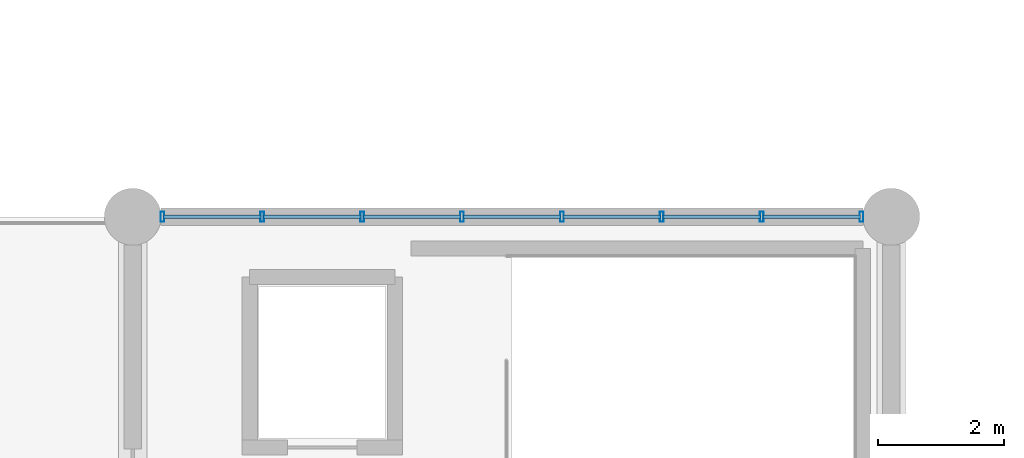
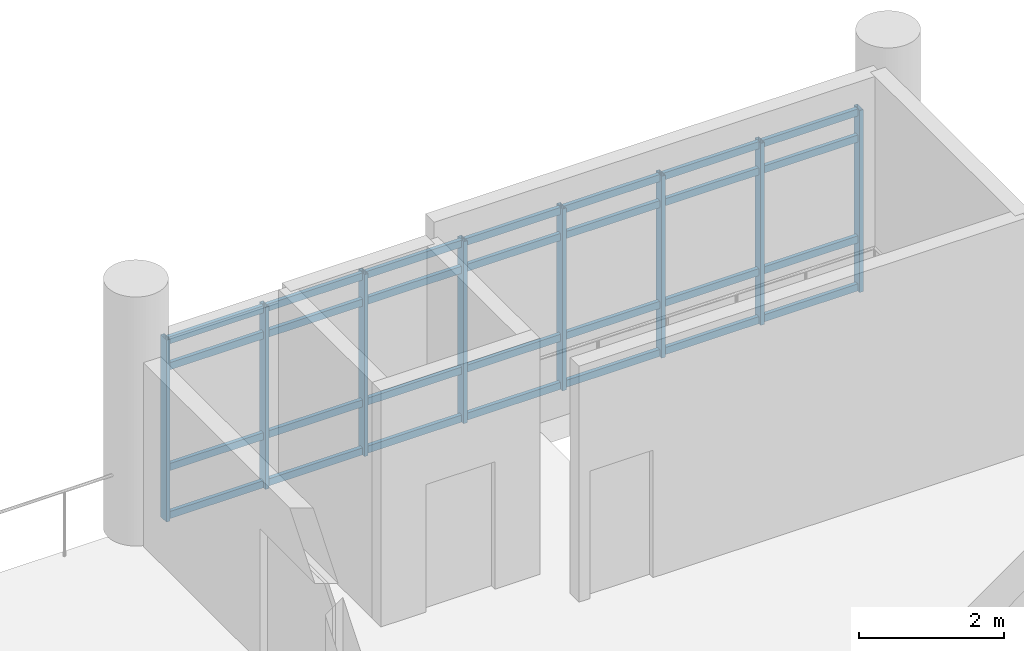
# One storey, part 18 of 111: 36 members, 1 element without a shape of its own.
"""IFC4 building model written with IfcOpenShell, lengths in metres."""

import ifcopenshell
import ifcopenshell.guid

model = None  # the IFC model being written
_history = None  # IfcOwnerHistory: only IFC2X3 demands one
_inside = {}  # id of a spatial element -> (the spatial element, [elements in it])
_under = {}  # id of a project, library or spatial element -> (it, [spatial elements below it])
_declared = {}  # id of a project -> (the project, [libraries it declares])
_typed = {}  # id of a type object -> (the type object, [elements of that type])
_made_of = {}  # id of a material, layer set ... -> (it, [elements and type objects made of it])


def new_model(schema):
    """Start an empty IFC model of exactly this schema.

    Asked for "IFC4X3", IfcOpenShell would pick the latest addendum, in which some entities
    have other attributes; the version numbers below select the first issue.
    IFC2X3 requires an IfcOwnerHistory on every rooted entity: one is made here for all.
    """
    global model, _history
    if schema == "IFC4X3":
        model = ifcopenshell.file(schema_version=(4, 3, 0, 0))
    else:
        model = ifcopenshell.file(schema=schema)
    _inside.clear()
    _under.clear()
    _declared.clear()
    _typed.clear()
    _made_of.clear()
    _history = None
    if model.schema == "IFC2X3":
        org = make("IfcOrganization", Name="unknown")
        user = make(
            "IfcPersonAndOrganization",
            ThePerson=make("IfcPerson", FamilyName="unknown"),
            TheOrganization=org,
        )
        app = make(
            "IfcApplication",
            ApplicationDeveloper=org,
            Version="unknown",
            ApplicationFullName="unknown",
            ApplicationIdentifier="unknown",
        )
        _history = make(
            "IfcOwnerHistory",
            OwningUser=user,
            OwningApplication=app,
            ChangeAction="ADDED",
            CreationDate=0,
        )
    return model


def make(cls, **values):
    """One entity of the class cls with the attributes given. An attribute that is None is left unset."""
    return model.create_entity(
        cls, **{name: value for name, value in values.items() if value is not None}
    )


def rooted(cls, **values):
    """An entity with a GlobalId (a new one), such as an element, a storey or a relation."""
    return make(cls, GlobalId=ifcopenshell.guid.new(), OwnerHistory=_history, **values)


def si_unit(unit_type, name, prefix=None):
    """IfcSIUnit, for example si_unit("LENGTHUNIT", "METRE", prefix="MILLI")."""
    return make("IfcSIUnit", UnitType=unit_type, Prefix=prefix, Name=name)


def assignment(units):
    """IfcUnitAssignment: the units of a project."""
    return None if units is None else make("IfcUnitAssignment", Units=units)


def point(xyz):
    """IfcCartesianPoint."""
    return None if xyz is None else make("IfcCartesianPoint", Coordinates=xyz)


def direction(xyz):
    """IfcDirection."""
    return None if xyz is None else make("IfcDirection", DirectionRatios=xyz)


def frame(location, z_axis=None, x_axis=None):
    """IfcAxis2Placement3D, a coordinate frame: its origin and axes. An axis left out is left unset."""
    return make(
        "IfcAxis2Placement3D",
        Location=point(location),
        Axis=direction(z_axis),
        RefDirection=direction(x_axis),
    )


def frame_2d(location, x_axis=None):
    """IfcAxis2Placement2D, a coordinate frame in the plane: its origin and x axis."""
    return make(
        "IfcAxis2Placement2D", Location=point(location), RefDirection=direction(x_axis)
    )


def origin():
    """The frame at (0, 0, 0) with its axes left unset."""
    return frame((0.0, 0.0, 0.0))


def origin_2d():
    """The frame at (0, 0) in the plane with its x axis left unset."""
    return frame_2d((0.0, 0.0))


def place(relative_to, where):
    """IfcLocalPlacement: puts the frame where relative to a parent placement (None: the world)."""
    return make(
        "IfcLocalPlacement", PlacementRelTo=relative_to, RelativePlacement=where
    )


def context(
    kind, dimensions, precision=None, world=None, true_north=None, identifier=None
):
    """IfcGeometricRepresentationContext, for example the 3D "Model" context."""
    return make(
        "IfcGeometricRepresentationContext",
        ContextIdentifier=identifier,
        ContextType=kind,
        CoordinateSpaceDimension=dimensions,
        Precision=precision,
        WorldCoordinateSystem=world,
        TrueNorth=true_north,
    )


def subcontext(parent, identifier, kind, view, scale=None):
    """IfcGeometricRepresentationSubContext, for example "Body" below "Model"."""
    return make(
        "IfcGeometricRepresentationSubContext",
        ContextIdentifier=identifier,
        ContextType=kind,
        ParentContext=parent,
        TargetScale=scale,
        TargetView=view,
    )


def project(units=None, contexts=None):
    """IfcProject with its units and contexts."""
    return rooted(
        "IfcProject",
        Name="project",
        RepresentationContexts=contexts,
        UnitsInContext=assignment(units),
    )


def spatial(cls, under=None, at=None, **own):
    """A site, building, storey or space (cls), placed at a placement, below another one or the project."""
    s = rooted(cls, ObjectPlacement=at, **own)
    if under is not None:
        _under.setdefault(under.id(), (under, []))[1].append(s)
    return s


def profile(cls, at=None, kind="AREA", **sizes):
    """A parametric profile (cls). Its sizes go by their IFC names, for example OverallWidth=200.0."""
    return make(cls, ProfileType=kind, Position=at, **sizes)


def hollow_rectangle(**sizes):
    """IfcRectangleHollowProfileDef."""
    return profile("IfcRectangleHollowProfileDef", **sizes)


def extrude(swept, where, along, depth):
    """IfcExtrudedAreaSolid: the profile swept, set in the frame where, extruded along a direction by depth."""
    return make(
        "IfcExtrudedAreaSolid",
        SweptArea=swept,
        Position=where,
        ExtrudedDirection=direction(along),
        Depth=depth,
    )


def shape(context_of_items, identifier, shape_type, items):
    """IfcShapeRepresentation: the items that make up one representation, for example the "Body"."""
    return make(
        "IfcShapeRepresentation",
        ContextOfItems=context_of_items,
        RepresentationIdentifier=identifier,
        RepresentationType=shape_type,
        Items=items,
    )


def material(Name=None, Category=None):
    """IfcMaterial."""
    return make("IfcMaterial", Name=Name, Category=Category)


def layer(
    of_material, thickness, ventilated=None, Name=None, Category=None, Priority=None
):
    """IfcMaterialLayer: one layer of a wall or slab, of a material (None: an air gap)."""
    return make(
        "IfcMaterialLayer",
        Material=of_material,
        LayerThickness=thickness,
        IsVentilated=ventilated,
        Name=Name,
        Category=Category,
        Priority=Priority,
    )


def layer_set(layers, Name=None):
    """IfcMaterialLayerSet."""
    return make("IfcMaterialLayerSet", MaterialLayers=layers, LayerSetName=Name)


def material_profile(
    of_material, cross_section, Name=None, Category=None, Priority=None
):
    """IfcMaterialProfile: a cross section and its material."""
    return make(
        "IfcMaterialProfile",
        Name=Name,
        Material=of_material,
        Profile=cross_section,
        Priority=Priority,
        Category=Category,
    )


def profile_set(profiles, Name=None, composite=None):
    """IfcMaterialProfileSet."""
    return make(
        "IfcMaterialProfileSet",
        Name=Name,
        MaterialProfiles=profiles,
        CompositeProfile=composite,
    )


def made_of(thing, what):
    """Note that an element or type object is made of a material, layer set ...; save() writes the relation."""
    if what is not None:
        _made_of.setdefault(what.id(), (what, []))[1].append(thing)
    return thing


def type_object(cls, material=None, **own):
    """A type object (cls), such as IfcWallType, which elements share."""
    return made_of(rooted(cls, **own), material)


def element(
    cls,
    number,
    at=None,
    inside=None,
    cuts=None,
    type_object=None,
    material=None,
    context=None,
    identifier="Body",
    shape_type=None,
    held_by="IfcProductDefinitionShape",
    body=None,
    shapes=None,
    **own,
):
    """One element of the class cls, such as IfcWall. Its Tag is "e" and its number.

    at: its placement. inside: the storey or other place that contains it. cuts: it is an
    opening in that element (IfcRelVoidsElement). A single representation is given by context,
    identifier, shape_type and body (its items); several are given by shapes. held_by: the class
    of the entity that holds the representations. save() writes the other relations.
    """
    e = rooted(cls, Tag="e%d" % number, ObjectPlacement=at, **own)
    if body is not None:
        shapes = [shape(context, identifier, shape_type, body)]
    if shapes is not None:
        e.Representation = make(held_by, Representations=shapes)
    if inside is not None:
        _inside.setdefault(inside.id(), (inside, []))[1].append(e)
    if cuts is not None:
        rooted(
            "IfcRelVoidsElement", RelatingBuildingElement=cuts, RelatedOpeningElement=e
        )
    if type_object is not None:
        _typed.setdefault(type_object.id(), (type_object, []))[1].append(e)
    return made_of(e, material)


def aggregate(whole, parts):
    """IfcRelAggregates: a whole, such as a stair, and the parts it consists of."""
    return rooted("IfcRelAggregates", RelatingObject=whole, RelatedObjects=parts)


def save(model, path):
    """Write the relations noted so far, then the file.

    IfcRelAggregates (storeys below a building ...), IfcRelContainedInSpatialStructure (elements
    in a storey), IfcRelDefinesByType, IfcRelAssociatesMaterial and IfcRelDeclares: one each for
    every whole, place, type object, material and project.
    """
    for whole, parts in _under.values():
        aggregate(whole, parts)
    for where, things in _inside.values():
        rooted(
            "IfcRelContainedInSpatialStructure",
            RelatedElements=things,
            RelatingStructure=where,
        )
    for kind, things in _typed.values():
        rooted("IfcRelDefinesByType", RelatedObjects=things, RelatingType=kind)
    for what, things in _made_of.values():
        rooted("IfcRelAssociatesMaterial", RelatedObjects=things, RelatingMaterial=what)
    for by, libraries in _declared.values():
        rooted("IfcRelDeclares", RelatingContext=by, RelatedDefinitions=libraries)
    model.write(path)


model = new_model("IFC4")

# Units and contexts
model_context = context("Model", 3, precision=1e-05, world=origin(), true_north=direction((0.0, 1.0)))
body_context = subcontext(model_context, "Body", "Model", "MODEL_VIEW")
ifc_project = project(units=[si_unit("LENGTHUNIT", "METRE"), si_unit("AREAUNIT", "SQUARE_METRE"), si_unit("VOLUMEUNIT", "CUBIC_METRE"), si_unit("PLANEANGLEUNIT", "RADIAN"), si_unit("MASSUNIT", "GRAM", prefix="KILO")], contexts=[model_context])

# Site, building, storey
site_placement = place(None, origin())
site = spatial("IfcSite", under=ifc_project, at=site_placement, CompositionType="ELEMENT")
building_placement = place(site_placement, origin())
building = spatial("IfcBuilding", under=site, at=building_placement, Name="Mersad Railyard Sports Hall", CompositionType="ELEMENT")
storey_placement = place(building_placement, frame((0.0, 0.0, 9.0)))
storey = spatial("IfcBuildingStorey", under=building, at=storey_placement, Name="L02", CompositionType="ELEMENT", Elevation=9.0)

# Curtain wall, members
ifc_material = material(Name="Aluminium 6063-T6", Category="aluminium")
ifc_layer = layer(ifc_material, 0.159912109375)
ifc_layer_set = layer_set([ifc_layer], Name="Aluminium 6063-T6")
curtain_wall_type = type_object("IfcCurtainWallType", Name="ARC-CW-CW06", PredefinedType="USERDEFINED", material=ifc_layer_set)
curtain_wall_placement = place(storey_placement, origin())
curtain_wall = element("IfcCurtainWall", 1, at=curtain_wall_placement, inside=storey, type_object=curtain_wall_type, Name="Curtain wall CW06-0032", ObjectType="CURTAIN WALL", PredefinedType="USERDEFINED")
ifc_material_profile_1 = material_profile(ifc_material, hollow_rectangle(XDim=0.06005859375, YDim=0.159912109375, WallThickness=0.00390625, at=origin_2d()), Name="AL MULLION 60x160x4")
ifc_profile_set_1 = profile_set([ifc_material_profile_1], Name="Aluminium 6063-T6")
member_type_1 = type_object("IfcMemberType", Name="ARC-CW-MUL01", PredefinedType="MULLION", material=ifc_profile_set_1)
member_1_placement = place(storey_placement, frame((79.469970703125, 53.5, -0.02001953125), z_axis=(0.0, 0.0, 1.0), x_axis=(1.0, 0.0, 0.0)))
member_1 = element("IfcMember", 2, at=member_1_placement, type_object=member_type_1, Name="CW06 Mullion 1", PredefinedType="MULLION", context=body_context, shape_type="SweptSolid", body=[
    extrude(hollow_rectangle(XDim=0.06005859375, YDim=0.159912109375, WallThickness=0.00390625, at=origin_2d()), origin(), (0.0, 0.0, 1.0), 3.070068359375),
])
member_2_placement = place(storey_placement, frame((81.050048828125, 53.5, -0.02001953125), z_axis=(0.0, 0.0, 1.0), x_axis=(1.0, 0.0, 0.0)))
member_2 = element("IfcMember", 3, at=member_2_placement, type_object=member_type_1, Name="CW06 Mullion 2", PredefinedType="MULLION", context=body_context, shape_type="SweptSolid", body=[
    extrude(hollow_rectangle(XDim=0.06005859375, YDim=0.159912109375, WallThickness=0.00390625, at=origin_2d()), origin(), (0.0, 0.0, 1.0), 3.070068359375),
])
member_3_placement = place(storey_placement, frame((82.6298828125, 53.5, -0.02001953125), z_axis=(0.0, 0.0, 1.0), x_axis=(1.0, 0.0, 0.0)))
member_3 = element("IfcMember", 4, at=member_3_placement, type_object=member_type_1, Name="CW06 Mullion 3", PredefinedType="MULLION", context=body_context, shape_type="SweptSolid", body=[
    extrude(hollow_rectangle(XDim=0.06005859375, YDim=0.159912109375, WallThickness=0.00390625, at=origin_2d()), origin(), (0.0, 0.0, 1.0), 3.070068359375),
])
member_4_placement = place(storey_placement, frame((84.2099609375, 53.5, -0.02001953125), z_axis=(0.0, 0.0, 1.0), x_axis=(1.0, 0.0, 0.0)))
member_4 = element("IfcMember", 5, at=member_4_placement, type_object=member_type_1, Name="CW06 Mullion 4", PredefinedType="MULLION", context=body_context, shape_type="SweptSolid", body=[
    extrude(hollow_rectangle(XDim=0.06005859375, YDim=0.159912109375, WallThickness=0.00390625, at=origin_2d()), origin(), (0.0, 0.0, 1.0), 3.070068359375),
])
member_5_placement = place(storey_placement, frame((85.7900390625, 53.5, -0.02001953125), z_axis=(0.0, 0.0, 1.0), x_axis=(1.0, 0.0, 0.0)))
member_5 = element("IfcMember", 6, at=member_5_placement, type_object=member_type_1, Name="CW06 Mullion 5", PredefinedType="MULLION", context=body_context, shape_type="SweptSolid", body=[
    extrude(hollow_rectangle(XDim=0.06005859375, YDim=0.159912109375, WallThickness=0.00390625, at=origin_2d()), origin(), (0.0, 0.0, 1.0), 3.070068359375),
])
member_6_placement = place(storey_placement, frame((87.3701171875, 53.5, -0.02001953125), z_axis=(0.0, 0.0, 1.0), x_axis=(1.0, 0.0, 0.0)))
member_6 = element("IfcMember", 7, at=member_6_placement, type_object=member_type_1, Name="CW06 Mullion 6", PredefinedType="MULLION", context=body_context, shape_type="SweptSolid", body=[
    extrude(hollow_rectangle(XDim=0.06005859375, YDim=0.159912109375, WallThickness=0.00390625, at=origin_2d()), origin(), (0.0, 0.0, 1.0), 3.070068359375),
])
member_7_placement = place(storey_placement, frame((88.949951171875, 53.5, -0.02001953125), z_axis=(0.0, 0.0, 1.0), x_axis=(1.0, 0.0, 0.0)))
member_7 = element("IfcMember", 8, at=member_7_placement, type_object=member_type_1, Name="CW06 Mullion 7", PredefinedType="MULLION", context=body_context, shape_type="SweptSolid", body=[
    extrude(hollow_rectangle(XDim=0.06005859375, YDim=0.159912109375, WallThickness=0.00390625, at=origin_2d()), origin(), (0.0, 0.0, 1.0), 3.070068359375),
])
member_8_placement = place(storey_placement, frame((90.530029296875, 53.5, -0.02001953125), z_axis=(0.0, 0.0, 1.0), x_axis=(1.0, 0.0, 0.0)))
member_8 = element("IfcMember", 9, at=member_8_placement, type_object=member_type_1, Name="CW06 Mullion 8", PredefinedType="MULLION", context=body_context, shape_type="SweptSolid", body=[
    extrude(hollow_rectangle(XDim=0.06005859375, YDim=0.159912109375, WallThickness=0.00390625, at=origin_2d()), origin(), (0.0, 0.0, 1.0), 3.070068359375),
])
ifc_material_profile_2 = material_profile(ifc_material, hollow_rectangle(XDim=0.06005859375, YDim=0.1201171875, WallThickness=0.00390625, at=origin_2d()), Name="AL TRANSOM 60x120x4")
ifc_profile_set_2 = profile_set([ifc_material_profile_2], Name="Aluminium 6063-T6")
member_type_2 = type_object("IfcMemberType", Name="ARC-CW-TRN01", PredefinedType="USERDEFINED", material=ifc_profile_set_2)
member_9_placement = place(storey_placement, frame((79.489990234375, 53.5, 0.0400390625), z_axis=(1.0, 0.0, 0.0), x_axis=(0.0, 1.0, 0.0)))
member_9 = element("IfcMember", 10, at=member_9_placement, type_object=member_type_2, Name="CW06 Transom 1-1", ObjectType="TRANSOM", PredefinedType="USERDEFINED", context=body_context, shape_type="SweptSolid", body=[
    extrude(hollow_rectangle(XDim=0.06005859375, YDim=0.1201171875, WallThickness=0.00390625, at=origin_2d()), origin(), (0.0, 0.0, 1.0), 1.5400390625),
])
member_10_placement = place(storey_placement, frame((81.070068359375, 53.5, 0.0400390625), z_axis=(1.0, 0.0, 0.0), x_axis=(0.0, 1.0, 0.0)))
member_10 = element("IfcMember", 11, at=member_10_placement, type_object=member_type_2, Name="CW06 Transom 1-2", ObjectType="TRANSOM", PredefinedType="USERDEFINED", context=body_context, shape_type="SweptSolid", body=[
    extrude(hollow_rectangle(XDim=0.06005859375, YDim=0.1201171875, WallThickness=0.00390625, at=origin_2d()), origin(), (0.0, 0.0, 1.0), 1.5400390625),
])
member_11_placement = place(storey_placement, frame((82.64990234375, 53.5, 0.0400390625), z_axis=(1.0, 0.0, 0.0), x_axis=(0.0, 1.0, 0.0)))
member_11 = element("IfcMember", 12, at=member_11_placement, type_object=member_type_2, Name="CW06 Transom 1-3", ObjectType="TRANSOM", PredefinedType="USERDEFINED", context=body_context, shape_type="SweptSolid", body=[
    extrude(hollow_rectangle(XDim=0.06005859375, YDim=0.1201171875, WallThickness=0.00390625, at=origin_2d()), origin(), (0.0, 0.0, 1.0), 1.5400390625),
])
member_12_placement = place(storey_placement, frame((84.22998046875, 53.5, 0.0400390625), z_axis=(1.0, 0.0, 0.0), x_axis=(0.0, 1.0, 0.0)))
member_12 = element("IfcMember", 13, at=member_12_placement, type_object=member_type_2, Name="CW06 Transom 1-4", ObjectType="TRANSOM", PredefinedType="USERDEFINED", context=body_context, shape_type="SweptSolid", body=[
    extrude(hollow_rectangle(XDim=0.06005859375, YDim=0.1201171875, WallThickness=0.00390625, at=origin_2d()), origin(), (0.0, 0.0, 1.0), 1.5400390625),
])
member_13_placement = place(storey_placement, frame((85.81005859375, 53.5, 0.0400390625), z_axis=(1.0, 0.0, 0.0), x_axis=(0.0, 1.0, 0.0)))
member_13 = element("IfcMember", 14, at=member_13_placement, type_object=member_type_2, Name="CW06 Transom 1-5", ObjectType="TRANSOM", PredefinedType="USERDEFINED", context=body_context, shape_type="SweptSolid", body=[
    extrude(hollow_rectangle(XDim=0.06005859375, YDim=0.1201171875, WallThickness=0.00390625, at=origin_2d()), origin(), (0.0, 0.0, 1.0), 1.5400390625),
])
member_14_placement = place(storey_placement, frame((87.389892578125, 53.5, 0.0400390625), z_axis=(1.0, 0.0, 0.0), x_axis=(0.0, 1.0, 0.0)))
member_14 = element("IfcMember", 15, at=member_14_placement, type_object=member_type_2, Name="CW06 Transom 1-6", ObjectType="TRANSOM", PredefinedType="USERDEFINED", context=body_context, shape_type="SweptSolid", body=[
    extrude(hollow_rectangle(XDim=0.06005859375, YDim=0.1201171875, WallThickness=0.00390625, at=origin_2d()), origin(), (0.0, 0.0, 1.0), 1.5400390625),
])
member_15_placement = place(storey_placement, frame((88.969970703125, 53.5, 0.0400390625), z_axis=(1.0, 0.0, 0.0), x_axis=(0.0, 1.0, 0.0)))
member_15 = element("IfcMember", 16, at=member_15_placement, type_object=member_type_2, Name="CW06 Transom 1-7", ObjectType="TRANSOM", PredefinedType="USERDEFINED", context=body_context, shape_type="SweptSolid", body=[
    extrude(hollow_rectangle(XDim=0.06005859375, YDim=0.1201171875, WallThickness=0.00390625, at=origin_2d()), origin(), (0.0, 0.0, 1.0), 1.5400390625),
])
member_16_placement = place(storey_placement, frame((79.489990234375, 53.5, 0.85009765625), z_axis=(1.0, 0.0, 0.0), x_axis=(0.0, 1.0, 0.0)))
member_16 = element("IfcMember", 17, at=member_16_placement, type_object=member_type_2, Name="CW06 Transom 2-1", ObjectType="TRANSOM", PredefinedType="USERDEFINED", context=body_context, shape_type="SweptSolid", body=[
    extrude(hollow_rectangle(XDim=0.06005859375, YDim=0.1201171875, WallThickness=0.00390625, at=origin_2d()), origin(), (0.0, 0.0, 1.0), 1.5400390625),
])
member_17_placement = place(storey_placement, frame((81.070068359375, 53.5, 0.85009765625), z_axis=(1.0, 0.0, 0.0), x_axis=(0.0, 1.0, 0.0)))
member_17 = element("IfcMember", 18, at=member_17_placement, type_object=member_type_2, Name="CW06 Transom 2-2", ObjectType="TRANSOM", PredefinedType="USERDEFINED", context=body_context, shape_type="SweptSolid", body=[
    extrude(hollow_rectangle(XDim=0.06005859375, YDim=0.1201171875, WallThickness=0.00390625, at=origin_2d()), origin(), (0.0, 0.0, 1.0), 1.5400390625),
])
member_18_placement = place(storey_placement, frame((82.64990234375, 53.5, 0.85009765625), z_axis=(1.0, 0.0, 0.0), x_axis=(0.0, 1.0, 0.0)))
member_18 = element("IfcMember", 19, at=member_18_placement, type_object=member_type_2, Name="CW06 Transom 2-3", ObjectType="TRANSOM", PredefinedType="USERDEFINED", context=body_context, shape_type="SweptSolid", body=[
    extrude(hollow_rectangle(XDim=0.06005859375, YDim=0.1201171875, WallThickness=0.00390625, at=origin_2d()), origin(), (0.0, 0.0, 1.0), 1.5400390625),
])
member_19_placement = place(storey_placement, frame((84.22998046875, 53.5, 0.85009765625), z_axis=(1.0, 0.0, 0.0), x_axis=(0.0, 1.0, 0.0)))
member_19 = element("IfcMember", 20, at=member_19_placement, type_object=member_type_2, Name="CW06 Transom 2-4", ObjectType="TRANSOM", PredefinedType="USERDEFINED", context=body_context, shape_type="SweptSolid", body=[
    extrude(hollow_rectangle(XDim=0.06005859375, YDim=0.1201171875, WallThickness=0.00390625, at=origin_2d()), origin(), (0.0, 0.0, 1.0), 1.5400390625),
])
member_20_placement = place(storey_placement, frame((85.81005859375, 53.5, 0.85009765625), z_axis=(1.0, 0.0, 0.0), x_axis=(0.0, 1.0, 0.0)))
member_20 = element("IfcMember", 21, at=member_20_placement, type_object=member_type_2, Name="CW06 Transom 2-5", ObjectType="TRANSOM", PredefinedType="USERDEFINED", context=body_context, shape_type="SweptSolid", body=[
    extrude(hollow_rectangle(XDim=0.06005859375, YDim=0.1201171875, WallThickness=0.00390625, at=origin_2d()), origin(), (0.0, 0.0, 1.0), 1.5400390625),
])
member_21_placement = place(storey_placement, frame((87.389892578125, 53.5, 0.85009765625), z_axis=(1.0, 0.0, 0.0), x_axis=(0.0, 1.0, 0.0)))
member_21 = element("IfcMember", 22, at=member_21_placement, type_object=member_type_2, Name="CW06 Transom 2-6", ObjectType="TRANSOM", PredefinedType="USERDEFINED", context=body_context, shape_type="SweptSolid", body=[
    extrude(hollow_rectangle(XDim=0.06005859375, YDim=0.1201171875, WallThickness=0.00390625, at=origin_2d()), origin(), (0.0, 0.0, 1.0), 1.5400390625),
])
member_22_placement = place(storey_placement, frame((88.969970703125, 53.5, 0.85009765625), z_axis=(1.0, 0.0, 0.0), x_axis=(0.0, 1.0, 0.0)))
member_22 = element("IfcMember", 23, at=member_22_placement, type_object=member_type_2, Name="CW06 Transom 2-7", ObjectType="TRANSOM", PredefinedType="USERDEFINED", context=body_context, shape_type="SweptSolid", body=[
    extrude(hollow_rectangle(XDim=0.06005859375, YDim=0.1201171875, WallThickness=0.00390625, at=origin_2d()), origin(), (0.0, 0.0, 1.0), 1.5400390625),
])
member_23_placement = place(storey_placement, frame((79.489990234375, 53.5, 2.550048828125), z_axis=(1.0, 0.0, 0.0), x_axis=(0.0, 1.0, 0.0)))
member_23 = element("IfcMember", 24, at=member_23_placement, type_object=member_type_2, Name="CW06 Transom 3-1", ObjectType="TRANSOM", PredefinedType="USERDEFINED", context=body_context, shape_type="SweptSolid", body=[
    extrude(hollow_rectangle(XDim=0.06005859375, YDim=0.1201171875, WallThickness=0.00390625, at=origin_2d()), origin(), (0.0, 0.0, 1.0), 1.5400390625),
])
member_24_placement = place(storey_placement, frame((81.070068359375, 53.5, 2.550048828125), z_axis=(1.0, 0.0, 0.0), x_axis=(0.0, 1.0, 0.0)))
member_24 = element("IfcMember", 25, at=member_24_placement, type_object=member_type_2, Name="CW06 Transom 3-2", ObjectType="TRANSOM", PredefinedType="USERDEFINED", context=body_context, shape_type="SweptSolid", body=[
    extrude(hollow_rectangle(XDim=0.06005859375, YDim=0.1201171875, WallThickness=0.00390625, at=origin_2d()), origin(), (0.0, 0.0, 1.0), 1.5400390625),
])
member_25_placement = place(storey_placement, frame((82.64990234375, 53.5, 2.550048828125), z_axis=(1.0, 0.0, 0.0), x_axis=(0.0, 1.0, 0.0)))
member_25 = element("IfcMember", 26, at=member_25_placement, type_object=member_type_2, Name="CW06 Transom 3-3", ObjectType="TRANSOM", PredefinedType="USERDEFINED", context=body_context, shape_type="SweptSolid", body=[
    extrude(hollow_rectangle(XDim=0.06005859375, YDim=0.1201171875, WallThickness=0.00390625, at=origin_2d()), origin(), (0.0, 0.0, 1.0), 1.5400390625),
])
member_26_placement = place(storey_placement, frame((84.22998046875, 53.5, 2.550048828125), z_axis=(1.0, 0.0, 0.0), x_axis=(0.0, 1.0, 0.0)))
member_26 = element("IfcMember", 27, at=member_26_placement, type_object=member_type_2, Name="CW06 Transom 3-4", ObjectType="TRANSOM", PredefinedType="USERDEFINED", context=body_context, shape_type="SweptSolid", body=[
    extrude(hollow_rectangle(XDim=0.06005859375, YDim=0.1201171875, WallThickness=0.00390625, at=origin_2d()), origin(), (0.0, 0.0, 1.0), 1.5400390625),
])
member_27_placement = place(storey_placement, frame((85.81005859375, 53.5, 2.550048828125), z_axis=(1.0, 0.0, 0.0), x_axis=(0.0, 1.0, 0.0)))
member_27 = element("IfcMember", 28, at=member_27_placement, type_object=member_type_2, Name="CW06 Transom 3-5", ObjectType="TRANSOM", PredefinedType="USERDEFINED", context=body_context, shape_type="SweptSolid", body=[
    extrude(hollow_rectangle(XDim=0.06005859375, YDim=0.1201171875, WallThickness=0.00390625, at=origin_2d()), origin(), (0.0, 0.0, 1.0), 1.5400390625),
])
member_28_placement = place(storey_placement, frame((87.389892578125, 53.5, 2.550048828125), z_axis=(1.0, 0.0, 0.0), x_axis=(0.0, 1.0, 0.0)))
member_28 = element("IfcMember", 29, at=member_28_placement, type_object=member_type_2, Name="CW06 Transom 3-6", ObjectType="TRANSOM", PredefinedType="USERDEFINED", context=body_context, shape_type="SweptSolid", body=[
    extrude(hollow_rectangle(XDim=0.06005859375, YDim=0.1201171875, WallThickness=0.00390625, at=origin_2d()), origin(), (0.0, 0.0, 1.0), 1.5400390625),
])
member_29_placement = place(storey_placement, frame((88.969970703125, 53.5, 2.550048828125), z_axis=(1.0, 0.0, 0.0), x_axis=(0.0, 1.0, 0.0)))
member_29 = element("IfcMember", 30, at=member_29_placement, type_object=member_type_2, Name="CW06 Transom 3-7", ObjectType="TRANSOM", PredefinedType="USERDEFINED", context=body_context, shape_type="SweptSolid", body=[
    extrude(hollow_rectangle(XDim=0.06005859375, YDim=0.1201171875, WallThickness=0.00390625, at=origin_2d()), origin(), (0.0, 0.0, 1.0), 1.5400390625),
])
member_30_placement = place(storey_placement, frame((79.489990234375, 53.5, 2.989990234375), z_axis=(1.0, 0.0, 0.0), x_axis=(0.0, 1.0, 0.0)))
member_30 = element("IfcMember", 31, at=member_30_placement, type_object=member_type_2, Name="CW06 Transom 4-1", ObjectType="TRANSOM", PredefinedType="USERDEFINED", context=body_context, shape_type="SweptSolid", body=[
    extrude(hollow_rectangle(XDim=0.06005859375, YDim=0.1201171875, WallThickness=0.00390625, at=origin_2d()), origin(), (0.0, 0.0, 1.0), 1.5400390625),
])
member_31_placement = place(storey_placement, frame((81.070068359375, 53.5, 2.989990234375), z_axis=(1.0, 0.0, 0.0), x_axis=(0.0, 1.0, 0.0)))
member_31 = element("IfcMember", 32, at=member_31_placement, type_object=member_type_2, Name="CW06 Transom 4-2", ObjectType="TRANSOM", PredefinedType="USERDEFINED", context=body_context, shape_type="SweptSolid", body=[
    extrude(hollow_rectangle(XDim=0.06005859375, YDim=0.1201171875, WallThickness=0.00390625, at=origin_2d()), origin(), (0.0, 0.0, 1.0), 1.5400390625),
])
member_32_placement = place(storey_placement, frame((82.64990234375, 53.5, 2.989990234375), z_axis=(1.0, 0.0, 0.0), x_axis=(0.0, 1.0, 0.0)))
member_32 = element("IfcMember", 33, at=member_32_placement, type_object=member_type_2, Name="CW06 Transom 4-3", ObjectType="TRANSOM", PredefinedType="USERDEFINED", context=body_context, shape_type="SweptSolid", body=[
    extrude(hollow_rectangle(XDim=0.06005859375, YDim=0.1201171875, WallThickness=0.00390625, at=origin_2d()), origin(), (0.0, 0.0, 1.0), 1.5400390625),
])
member_33_placement = place(storey_placement, frame((84.22998046875, 53.5, 2.989990234375), z_axis=(1.0, 0.0, 0.0), x_axis=(0.0, 1.0, 0.0)))
member_33 = element("IfcMember", 34, at=member_33_placement, type_object=member_type_2, Name="CW06 Transom 4-4", ObjectType="TRANSOM", PredefinedType="USERDEFINED", context=body_context, shape_type="SweptSolid", body=[
    extrude(hollow_rectangle(XDim=0.06005859375, YDim=0.1201171875, WallThickness=0.00390625, at=origin_2d()), origin(), (0.0, 0.0, 1.0), 1.5400390625),
])
member_34_placement = place(storey_placement, frame((85.81005859375, 53.5, 2.989990234375), z_axis=(1.0, 0.0, 0.0), x_axis=(0.0, 1.0, 0.0)))
member_34 = element("IfcMember", 35, at=member_34_placement, type_object=member_type_2, Name="CW06 Transom 4-5", ObjectType="TRANSOM", PredefinedType="USERDEFINED", context=body_context, shape_type="SweptSolid", body=[
    extrude(hollow_rectangle(XDim=0.06005859375, YDim=0.1201171875, WallThickness=0.00390625, at=origin_2d()), origin(), (0.0, 0.0, 1.0), 1.5400390625),
])
member_35_placement = place(storey_placement, frame((87.389892578125, 53.5, 2.989990234375), z_axis=(1.0, 0.0, 0.0), x_axis=(0.0, 1.0, 0.0)))
member_35 = element("IfcMember", 36, at=member_35_placement, type_object=member_type_2, Name="CW06 Transom 4-6", ObjectType="TRANSOM", PredefinedType="USERDEFINED", context=body_context, shape_type="SweptSolid", body=[
    extrude(hollow_rectangle(XDim=0.06005859375, YDim=0.1201171875, WallThickness=0.00390625, at=origin_2d()), origin(), (0.0, 0.0, 1.0), 1.5400390625),
])
member_36_placement = place(storey_placement, frame((88.969970703125, 53.5, 2.989990234375), z_axis=(1.0, 0.0, 0.0), x_axis=(0.0, 1.0, 0.0)))
member_36 = element("IfcMember", 37, at=member_36_placement, type_object=member_type_2, Name="CW06 Transom 4-7", ObjectType="TRANSOM", PredefinedType="USERDEFINED", context=body_context, shape_type="SweptSolid", body=[
    extrude(hollow_rectangle(XDim=0.06005859375, YDim=0.1201171875, WallThickness=0.00390625, at=origin_2d()), origin(), (0.0, 0.0, 1.0), 1.5400390625),
])
aggregate(curtain_wall, [member_1, member_2, member_3, member_4, member_5, member_6, member_7, member_8, member_9, member_10, member_11, member_12, member_13, member_14, member_15, member_16, member_17, member_18, member_19, member_20, member_21, member_22, member_23, member_24, member_25, member_26, member_27, member_28, member_29, member_30, member_31, member_32, member_33, member_34, member_35, member_36])

save(model, "model.ifc")
